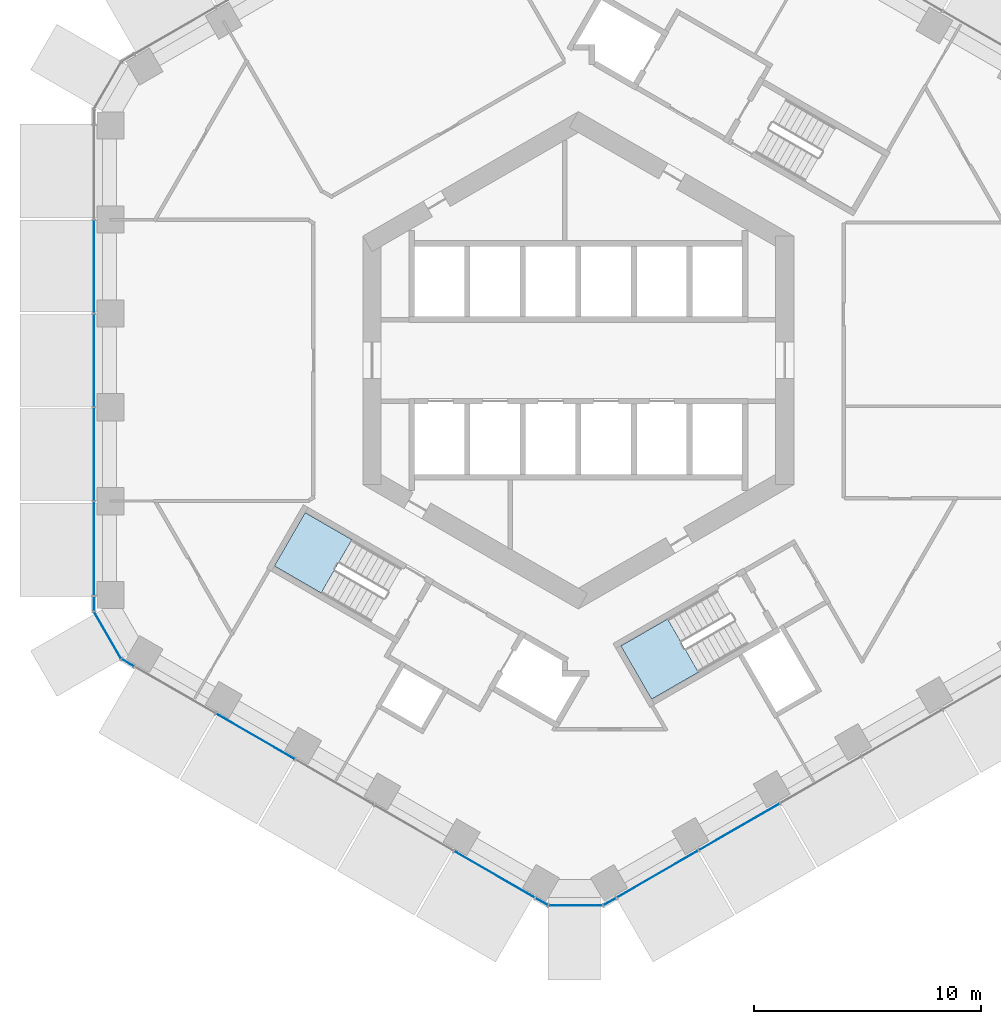
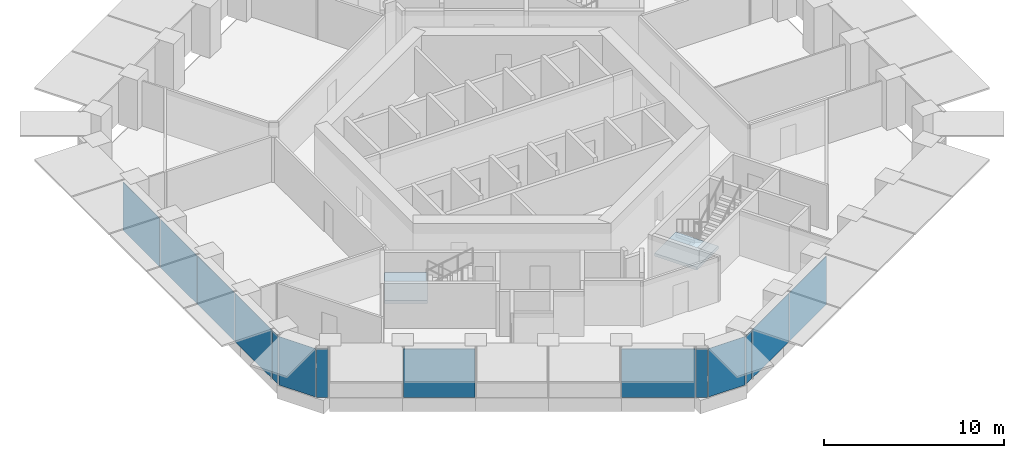
# One storey, part 8 of 19: 14 plates, 2 slabs, 7 elements without a shape of their own.
"""IFC4 building model written with IfcOpenShell, lengths in metres."""

from ifc_helpers import new_model, si_unit, direction, frame, origin, origin_2d, place, context, subcontext, project, spatial, polyline, rectangle, outline, extrude, material, layer, layer_set, type_object, element, aggregate, save


model = new_model("IFC4")

# Units and contexts
model_context = context("Model", 3, precision=1e-05, world=origin(), true_north=direction((0.0, 1.0)))
body_context = subcontext(model_context, "Body", "Model", "MODEL_VIEW")
ifc_project = project(units=[si_unit("LENGTHUNIT", "METRE"), si_unit("AREAUNIT", "SQUARE_METRE"), si_unit("VOLUMEUNIT", "CUBIC_METRE"), si_unit("PLANEANGLEUNIT", "RADIAN"), si_unit("MASSUNIT", "GRAM", prefix="KILO")], contexts=[model_context])

# Site, building, storey
site_placement = place(None, origin())
site = spatial("IfcSite", under=ifc_project, at=site_placement, CompositionType="ELEMENT")
building_placement = place(site_placement, origin())
building = spatial("IfcBuilding", under=site, at=building_placement, Name="Ayvan Gate Tower", CompositionType="ELEMENT")
storey_placement = place(building_placement, frame((0.0, 0.0, 32.300048828125)))
storey = spatial("IfcBuildingStorey", under=building, at=storey_placement, Name="L07", CompositionType="ELEMENT", Elevation=32.300048828125)

# Stair, slab
ifc_material_1 = material(Name="Concrete C40/50", Category="concrete")
stair_type = type_object("IfcStairType", Name="ST-EXIT", PredefinedType="HALF_TURN_STAIR", material=ifc_material_1)
stair_1_placement = place(storey_placement, origin())
stair_1 = element("IfcStair", 1, at=stair_1_placement, inside=storey, type_object=stair_type, Name="L07 Exit Stair S2", PredefinedType="HALF_TURN_STAIR")
ifc_layer_1 = layer(ifc_material_1, 0.199951171875)
ifc_layer_set_1 = layer_set([ifc_layer_1], Name="Concrete C40/50")
slab_type = type_object("IfcSlabType", Name="SL-LANDING-200", PredefinedType="LANDING", material=ifc_layer_set_1)
slab_1_placement = place(storey_placement, frame((0.0, 0.0, 1.5)))
slab_1 = element("IfcSlab", 2, at=slab_1_placement, type_object=slab_type, Name="STS2 landing 1", PredefinedType="LANDING", context=body_context, shape_type="SweptSolid", body=[
    extrude(outline(polyline([(-9.988525390625, -7.91064453125), (-12.049560546875, -6.720458984375), (-13.404541015625, -9.0673828125), (-11.343505859375, -10.257568359375), (-9.988525390625, -7.91064453125)])), origin(), (0.0, 0.0, 1.0), 0.199951171875),
])
aggregate(stair_1, [slab_1])

stair_2_placement = place(storey_placement, origin())
stair_2 = element("IfcStair", 3, at=stair_2_placement, inside=storey, type_object=stair_type, Name="L07 Exit Stair S3", PredefinedType="HALF_TURN_STAIR")
slab_2_placement = place(storey_placement, frame((0.0, 0.0, 1.5)))
slab_2 = element("IfcSlab", 4, at=slab_2_placement, type_object=slab_type, Name="STS3 landing 1", PredefinedType="LANDING", context=body_context, shape_type="SweptSolid", body=[
    extrude(outline(polyline([(3.93505859375, -11.405517578125), (1.873779296875, -12.595458984375), (3.228759765625, -14.9423828125), (5.2900390625, -13.75244140625), (3.93505859375, -11.405517578125)])), origin(), (0.0, 0.0, 1.0), 0.199951171875),
])
aggregate(stair_2, [slab_2])

# Curtain wall, plates
ifc_material_2 = material(Name="Bronze anodised aluminium", Category="aluminium")
ifc_layer_2 = layer(ifc_material_2, 0.199951171875)
ifc_layer_set_2 = layer_set([ifc_layer_2], Name="Bronze anodised aluminium")
curtain_wall_type_1 = type_object("IfcCurtainWallType", Name="Stick curtain wall CW-1", PredefinedType="NOTDEFINED", material=ifc_layer_set_2)
curtain_wall_1_placement = place(storey_placement, origin())
curtain_wall_1 = element("IfcCurtainWall", 5, at=curtain_wall_1_placement, inside=storey, type_object=curtain_wall_type_1, Name="Stick curtain wall CW-1 L07", PredefinedType="NOTDEFINED")
ifc_material_3 = material(Name="Clear low-iron laminated glass", Category="glass")
ifc_layer_3 = layer(ifc_material_3, 0.028076171875)
ifc_layer_set_3 = layer_set([ifc_layer_3], Name="Clear low-iron laminated glass")
plate_type_1 = type_object("IfcPlateType", Name="Stick curtain wall CW-1 glass panel", PredefinedType="CURTAIN_PANEL", material=ifc_layer_set_3)
plate_1_placement = place(storey_placement, frame((-21.365966796875, 4.1416015625, 0.0), z_axis=(0.0, 0.0, 1.0), x_axis=(0.0, -1.0, 0.0)))
plate_1 = element("IfcPlate", 6, at=plate_1_placement, type_object=plate_type_1, Name="CW-1 glass panel 2", PredefinedType="CURTAIN_PANEL", context=body_context, shape_type="SweptSolid", body=[
    extrude(rectangle(XDim=4.08203125, YDim=0.028076171875, at=origin_2d()), origin(), (0.0, 0.0, 1.0), 3.280029296875),
])
plate_2_placement = place(storey_placement, frame((-21.365966796875, 0.000244140625, 0.0), z_axis=(0.0, 0.0, 1.0), x_axis=(0.0, -1.0, 0.0)))
plate_2 = element("IfcPlate", 7, at=plate_2_placement, type_object=plate_type_1, Name="CW-1 glass panel 3", PredefinedType="CURTAIN_PANEL", context=body_context, shape_type="SweptSolid", body=[
    extrude(rectangle(XDim=4.0810546875, YDim=0.028076171875, at=origin_2d()), origin(), (0.0, 0.0, 1.0), 3.280029296875),
])
plate_3_placement = place(storey_placement, frame((-21.365966796875, -4.141357421875, 0.0), z_axis=(0.0, 0.0, 1.0), x_axis=(0.0, -1.0, 0.0)))
plate_3 = element("IfcPlate", 8, at=plate_3_placement, type_object=plate_type_1, Name="CW-1 glass panel 4", PredefinedType="CURTAIN_PANEL", context=body_context, shape_type="SweptSolid", body=[
    extrude(rectangle(XDim=4.08203125, YDim=0.028076171875, at=origin_2d()), origin(), (0.0, 0.0, 1.0), 3.280029296875),
])
plate_4_placement = place(storey_placement, frame((-21.365966796875, -8.320556640625, 0.0), z_axis=(0.0, 0.0, 1.0), x_axis=(0.0, -1.0, 0.0)))
plate_4 = element("IfcPlate", 9, at=plate_4_placement, type_object=plate_type_1, Name="CW-1 glass panel 5", PredefinedType="CURTAIN_PANEL", context=body_context, shape_type="SweptSolid", body=[
    extrude(rectangle(XDim=4.15625, YDim=0.028076171875, at=origin_2d()), origin(), (0.0, 0.0, 1.0), 3.280029296875),
])
aggregate(curtain_wall_1, [plate_1, plate_2, plate_3, plate_4])

curtain_wall_2_placement = place(storey_placement, origin())
curtain_wall_2 = element("IfcCurtainWall", 10, at=curtain_wall_2_placement, inside=storey, type_object=curtain_wall_type_1, Name="Stick curtain wall CW-1 L07", PredefinedType="NOTDEFINED")
plate_5_placement = place(storey_placement, frame((-14.23974609375, -16.5869140625, 0.0), z_axis=(0.0, 0.0, 1.0), x_axis=(0.866025403784, -0.5, 0.0)))
plate_5 = element("IfcPlate", 11, at=plate_5_placement, type_object=plate_type_1, Name="CW-1 glass panel 2", PredefinedType="CURTAIN_PANEL", context=body_context, shape_type="SweptSolid", body=[
    extrude(rectangle(XDim=3.97900390625, YDim=0.028076171875, at=origin_2d()), origin(), (0.0, 0.0, 1.0), 3.280029296875),
])
plate_6_placement = place(storey_placement, frame((-3.6923828125, -22.676513671875, 0.0), z_axis=(0.0, 0.0, 1.0), x_axis=(0.866025403784, -0.5, 0.0)))
plate_6 = element("IfcPlate", 12, at=plate_6_placement, type_object=plate_type_1, Name="CW-1 glass panel 5", PredefinedType="CURTAIN_PANEL", context=body_context, shape_type="SweptSolid", body=[
    extrude(rectangle(XDim=4.10498046875, YDim=0.028076171875, at=origin_2d()), origin(), (0.0, 0.0, 1.0), 3.280029296875),
])
aggregate(curtain_wall_2, [plate_5, plate_6])

curtain_wall_3_placement = place(storey_placement, origin())
curtain_wall_3 = element("IfcCurtainWall", 13, at=curtain_wall_3_placement, inside=storey, type_object=curtain_wall_type_1, Name="Stick curtain wall CW-1 L07", PredefinedType="NOTDEFINED")
plate_7_placement = place(storey_placement, frame((3.47705078125, -22.663818359375, 0.0), z_axis=(0.0, 0.0, 1.0), x_axis=(0.866025403784, 0.5, 0.0)))
plate_7 = element("IfcPlate", 14, at=plate_7_placement, type_object=plate_type_1, Name="CW-1 glass panel 1", PredefinedType="CURTAIN_PANEL", context=body_context, shape_type="SweptSolid", body=[
    extrude(rectangle(XDim=4.156005859375, YDim=0.028076171875, at=origin_2d()), origin(), (0.0, 0.0, 1.0), 3.280029296875),
])
plate_8_placement = place(storey_placement, frame((7.09619140625, -20.57421875, 0.0), z_axis=(0.0, 0.0, 1.0), x_axis=(0.866025403784, 0.5, 0.0)))
plate_8 = element("IfcPlate", 15, at=plate_8_placement, type_object=plate_type_1, Name="CW-1 glass panel 2", PredefinedType="CURTAIN_PANEL", context=body_context, shape_type="SweptSolid", body=[
    extrude(rectangle(XDim=4.08203125, YDim=0.028076171875, at=origin_2d()), origin(), (0.0, 0.0, 1.0), 3.280029296875),
])
aggregate(curtain_wall_3, [plate_7, plate_8])

ifc_layer_4 = layer(ifc_material_2, 0.199951171875)
ifc_layer_set_4 = layer_set([ifc_layer_4], Name="Bronze anodised aluminium")
curtain_wall_type_2 = type_object("IfcCurtainWallType", Name="Stick curtain wall CW-6", PredefinedType="NOTDEFINED", material=ifc_layer_set_4)
curtain_wall_4_placement = place(storey_placement, origin())
curtain_wall_4 = element("IfcCurtainWall", 16, at=curtain_wall_4_placement, inside=storey, type_object=curtain_wall_type_2, Name="Stick curtain wall CW-6 L07", PredefinedType="NOTDEFINED")
ifc_layer_5 = layer(ifc_material_3, 0.028076171875)
ifc_layer_set_5 = layer_set([ifc_layer_5], Name="Clear low-iron laminated glass")
plate_type_2 = type_object("IfcPlateType", Name="Stick curtain wall CW-6 glass panel", PredefinedType="CURTAIN_PANEL", material=ifc_layer_set_5)
plate_9_placement = place(storey_placement, frame((-21.365966796875, -10.7412109375, 0.0), z_axis=(0.0, 0.0, 1.0), x_axis=(0.0, -1.0, 0.0)))
plate_9 = element("IfcPlate", 17, at=plate_9_placement, type_object=plate_type_2, Name="CW-6 glass panel 1", PredefinedType="CURTAIN_PANEL", context=body_context, shape_type="SweptSolid", body=[
    extrude(rectangle(XDim=0.625, YDim=0.028076171875, at=origin_2d()), origin(), (0.0, 0.0, 1.0), 3.280029296875),
])
plate_10_placement = place(storey_placement, frame((-20.76220703125, -12.124267578125, 0.0), z_axis=(0.0, 0.0, 1.0), x_axis=(0.5, -0.866025403784, 0.0)))
plate_10 = element("IfcPlate", 18, at=plate_10_placement, type_object=plate_type_2, Name="CW-6 glass panel 2", PredefinedType="CURTAIN_PANEL", context=body_context, shape_type="SweptSolid", body=[
    extrude(rectangle(XDim=2.364501953125, YDim=0.028076171875, at=origin_2d()), origin(), (0.0, 0.0, 1.0), 3.280029296875),
])
plate_11_placement = place(storey_placement, frame((-19.866455078125, -13.33837890625, 0.0), z_axis=(0.0, 0.0, 1.0), x_axis=(0.866025403784, -0.5, 0.0)))
plate_11 = element("IfcPlate", 19, at=plate_11_placement, type_object=plate_type_2, Name="CW-6 glass panel 3", PredefinedType="CURTAIN_PANEL", context=body_context, shape_type="SweptSolid", body=[
    extrude(rectangle(XDim=0.625, YDim=0.028076171875, at=origin_2d()), origin(), (0.0, 0.0, 1.0), 3.280029296875),
])
aggregate(curtain_wall_4, [plate_9, plate_10, plate_11])

curtain_wall_5_placement = place(storey_placement, origin())
curtain_wall_5 = element("IfcCurtainWall", 20, at=curtain_wall_5_placement, inside=storey, type_object=curtain_wall_type_2, Name="Stick curtain wall CW-6 L07", PredefinedType="NOTDEFINED")
plate_12_placement = place(storey_placement, frame((-1.6181640625, -23.8740234375, 0.0), z_axis=(0.0, 0.0, 1.0), x_axis=(0.866025403784, -0.5, 0.0)))
plate_12 = element("IfcPlate", 21, at=plate_12_placement, type_object=plate_type_2, Name="CW-6 glass panel 1", PredefinedType="CURTAIN_PANEL", context=body_context, shape_type="SweptSolid", body=[
    extrude(rectangle(XDim=0.625, YDim=0.028076171875, at=origin_2d()), origin(), (0.0, 0.0, 1.0), 3.280029296875),
])
plate_13_placement = place(storey_placement, frame((-0.11865234375, -24.042724609375, 0.0), z_axis=(0.0, 0.0, 1.0), x_axis=(1.0, 0.0, 0.0)))
plate_13 = element("IfcPlate", 22, at=plate_13_placement, type_object=plate_type_2, Name="CW-6 glass panel 2", PredefinedType="CURTAIN_PANEL", context=body_context, shape_type="SweptSolid", body=[
    extrude(rectangle(XDim=2.364501953125, YDim=0.028076171875, at=origin_2d()), origin(), (0.0, 0.0, 1.0), 3.280029296875),
])
plate_14_placement = place(storey_placement, frame((1.380859375, -23.8740234375, 0.0), z_axis=(0.0, 0.0, 1.0), x_axis=(0.866025403784, 0.5, 0.0)))
plate_14 = element("IfcPlate", 23, at=plate_14_placement, type_object=plate_type_2, Name="CW-6 glass panel 3", PredefinedType="CURTAIN_PANEL", context=body_context, shape_type="SweptSolid", body=[
    extrude(rectangle(XDim=0.625, YDim=0.028076171875, at=origin_2d()), origin(), (0.0, 0.0, 1.0), 3.280029296875),
])
aggregate(curtain_wall_5, [plate_12, plate_13, plate_14])

save(model, "model.ifc")
